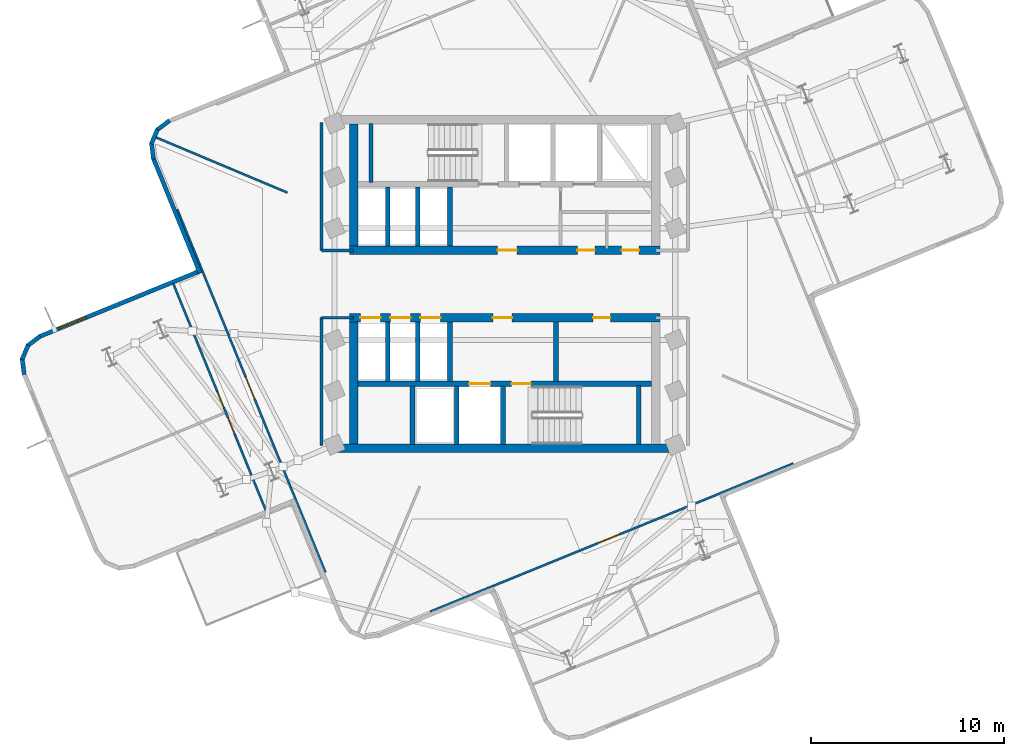
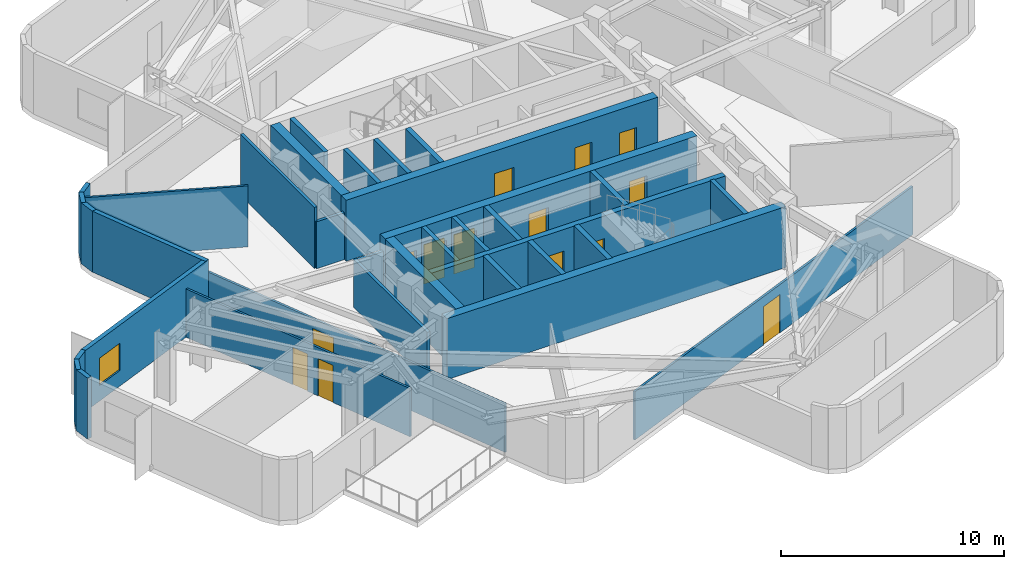
# One storey, part 3 of 8: 34 walls, 14 doors, 1 window, 15 openings.
"""IFC4 building model written with IfcOpenShell, lengths in metres."""

from ifc_helpers import new_model, si_unit, direction, frame, frame_2d, origin, place, context, subcontext, project, spatial, rectangle, extrude, material, layer, layer_set, type_object, element, fill, save


model = new_model("IFC4")

# Units and contexts
model_context = context("Model", 3, precision=1e-05, world=origin(), true_north=direction((0.0, 1.0)))
body_context = subcontext(model_context, "Body", "Model", "MODEL_VIEW")
ifc_project = project(units=[si_unit("LENGTHUNIT", "METRE"), si_unit("AREAUNIT", "SQUARE_METRE"), si_unit("VOLUMEUNIT", "CUBIC_METRE"), si_unit("PLANEANGLEUNIT", "RADIAN"), si_unit("MASSUNIT", "GRAM", prefix="KILO")], contexts=[model_context])

# Site, building, storey
site_placement = place(None, origin())
site = spatial("IfcSite", under=ifc_project, at=site_placement, CompositionType="ELEMENT")
building_placement = place(site_placement, origin())
building = spatial("IfcBuilding", under=site, at=building_placement, Name="Solmarez Civic Tower", CompositionType="ELEMENT")
storey_placement = place(building_placement, frame((0.0, 0.0, 173.8798828125)))
storey = spatial("IfcBuildingStorey", under=building, at=storey_placement, Name="L46", CompositionType="ELEMENT", Elevation=173.8798828125)

# Wall, openings, doors
ifc_material_1 = material(Name="Concrete C50/60", Category="concrete")
ifc_layer_1 = layer(ifc_material_1, 0.449951171875)
ifc_layer_set_1 = layer_set([ifc_layer_1], Name="Concrete C50/60")
wall_type_1 = type_object("IfcWallType", Name="WALL-CORE-450", PredefinedType="SHEAR", material=ifc_layer_set_1)
wall_1_placement = place(storey_placement, frame((8.070068359375, 1.75, 0.0), z_axis=(0.0, 0.0, 1.0), x_axis=(-1.0, 0.0, 0.0)))
wall_1 = element("IfcWall", 1, at=wall_1_placement, inside=storey, type_object=wall_type_1, Name="L46 Split-Core Structural Wall NCW-S-L46", PredefinedType="SHEAR", context=body_context, shape_type="SweptSolid", body=[
    extrude(rectangle(XDim=16.14013671875, YDim=0.449951171875, at=frame_2d((8.070068359375, 0.0))), origin(), (0.0, 0.0, 1.0), 3.340087890625),
])
opening_1_placement = place(wall_1_placement, frame((7.449951171875, 0.0, 0.0)))
opening_1 = element("IfcOpeningElement", 2, at=opening_1_placement, cuts=wall_1, Name="Opening D-04", PredefinedType="OPENING", context=body_context, shape_type="SweptSolid", body=[
    extrude(rectangle(XDim=1.0, YDim=2.10009765625, at=frame_2d((0.5, 1.050048828125))), frame((0.0, 0.23486328125, 0.0), z_axis=(0.0, -1.0, 0.0), x_axis=(1.0, 0.0, 0.0)), (0.0, 0.0, 1.0), 0.469970703125),
])
opening_2_placement = place(wall_1_placement, frame((3.39990234375, 0.0, 0.0)))
opening_2 = element("IfcOpeningElement", 3, at=opening_2_placement, cuts=wall_1, Name="Opening D-09", PredefinedType="OPENING", context=body_context, shape_type="SweptSolid", body=[
    extrude(rectangle(XDim=0.89990234375, YDim=2.06005859375, at=frame_2d((0.449951171875, 1.030029296875))), frame((0.0, 0.23486328125, 0.0), z_axis=(0.0, -1.0, 0.0), x_axis=(1.0, 0.0, 0.0)), (0.0, 0.0, 1.0), 0.469970703125),
])
opening_3_placement = place(wall_1_placement, frame((1.10009765625, 0.0, 0.0)))
opening_3 = element("IfcOpeningElement", 4, at=opening_3_placement, cuts=wall_1, Name="Opening D-09", PredefinedType="OPENING", context=body_context, shape_type="SweptSolid", body=[
    extrude(rectangle(XDim=0.89990234375, YDim=2.06005859375, at=frame_2d((0.449951171875, 1.030029296875))), frame((0.0, 0.23486328125, 0.0), z_axis=(0.0, -1.0, 0.0), x_axis=(1.0, 0.0, 0.0)), (0.0, 0.0, 1.0), 0.469970703125),
])
ifc_material_2 = material(Name="Steel-Faced Acoustic Fire Door", Category="steel")
door_type_1 = type_object("IfcDoorType", Name="DOOR-FD60-1000", OperationType="NOTDEFINED", PredefinedType="DOOR", material=ifc_material_2)
door_1_placement = place(opening_1_placement, origin())
door_1 = element("IfcDoor", 5, at=door_1_placement, inside=storey, type_object=door_type_1, Name="L46 North Firefighting Lobby Door", OperationType="SINGLE_SWING_LEFT", OverallHeight=2.10009765625, OverallWidth=1.0, PredefinedType="DOOR", context=body_context, shape_type="SweptSolid", body=[
    extrude(rectangle(XDim=1.0, YDim=2.10009765625, at=frame_2d((0.5, 1.050048828125))), frame((0.0, 0.02490234375, 0.0), z_axis=(0.0, -1.0, 0.0), x_axis=(1.0, 0.0, 0.0)), (0.0, 0.0, 1.0), 0.050048828125),
])
fill(opening_1, door_1)
ifc_material_3 = material(Name="Fire-Rated Service Core Door", Category="wood")
door_type_2 = type_object("IfcDoorType", Name="DOOR-FD60-900", OperationType="NOTDEFINED", PredefinedType="DOOR", material=ifc_material_3)
door_2_placement = place(opening_2_placement, origin())
door_2 = element("IfcDoor", 6, at=door_2_placement, inside=storey, type_object=door_type_2, Name="L46 Core WC Door", OperationType="SINGLE_SWING_LEFT", OverallHeight=2.06005859375, OverallWidth=0.89990234375, PredefinedType="DOOR", context=body_context, shape_type="SweptSolid", body=[
    extrude(rectangle(XDim=0.89990234375, YDim=2.06005859375, at=frame_2d((0.449951171875, 1.030029296875))), frame((0.0, 0.02490234375, 0.0), z_axis=(0.0, -1.0, 0.0), x_axis=(1.0, 0.0, 0.0)), (0.0, 0.0, 1.0), 0.050048828125),
])
fill(opening_2, door_2)
door_3_placement = place(opening_3_placement, origin())
door_3 = element("IfcDoor", 7, at=door_3_placement, inside=storey, type_object=door_type_2, Name="L46 Core CL Door", OperationType="SINGLE_SWING_RIGHT", OverallHeight=2.06005859375, OverallWidth=0.89990234375, PredefinedType="DOOR", context=body_context, shape_type="SweptSolid", body=[
    extrude(rectangle(XDim=0.89990234375, YDim=2.06005859375, at=frame_2d((0.449951171875, 1.030029296875))), frame((0.0, 0.02490234375, 0.0), z_axis=(0.0, -1.0, 0.0), x_axis=(1.0, 0.0, 0.0)), (0.0, 0.0, 1.0), 0.050048828125),
])
fill(opening_3, door_3)

# Walls
wall_2_placement = place(storey_placement, frame((-7.844970703125, 1.97509765625, 0.0), z_axis=(0.0, 0.0, 1.0), x_axis=(0.0, 1.0, 0.0)))
element("IfcWall", 8, at=wall_2_placement, inside=storey, type_object=wall_type_1, Name="L46 Split-Core Structural Wall NCW-W-L46", PredefinedType="SHEAR", context=body_context, shape_type="SweptSolid", body=[
    extrude(rectangle(XDim=6.3349609375, YDim=0.449951171875, at=frame_2d((3.16748046875, 0.0))), origin(), (0.0, 0.0, 1.0), 3.340087890625),
])
wall_3_placement = place(storey_placement, frame((8.780029296875, -8.534912109375, 0.0), z_axis=(0.0, 0.0, 1.0), x_axis=(-1.0, 0.0, 0.0)))
element("IfcWall", 9, at=wall_3_placement, inside=storey, type_object=wall_type_1, Name="L46 Split-Core Structural Wall SCW-S-L46", PredefinedType="SHEAR", context=body_context, shape_type="SweptSolid", body=[
    extrude(rectangle(XDim=17.56005859375, YDim=0.449951171875, at=frame_2d((8.780029296875, 0.0))), origin(), (0.0, 0.0, 1.0), 3.340087890625),
])

# Wall, openings, doors
wall_4_placement = place(storey_placement, frame((-8.070068359375, -1.75, 0.0), z_axis=(0.0, 0.0, 1.0), x_axis=(1.0, 0.0, 0.0)))
wall_4 = element("IfcWall", 10, at=wall_4_placement, inside=storey, type_object=wall_type_1, Name="L46 Split-Core Structural Wall SCW-N-L46", PredefinedType="SHEAR", context=body_context, shape_type="SweptSolid", body=[
    extrude(rectangle(XDim=16.14013671875, YDim=0.449951171875, at=frame_2d((8.070068359375, 0.0))), origin(), (0.0, 0.0, 1.0), 3.340087890625),
])
opening_4_placement = place(wall_4_placement, frame((7.449951171875, 0.0, 0.0)))
opening_4 = element("IfcOpeningElement", 11, at=opening_4_placement, cuts=wall_4, Name="Opening D-04", PredefinedType="OPENING", context=body_context, shape_type="SweptSolid", body=[
    extrude(rectangle(XDim=1.0, YDim=2.10009765625, at=frame_2d((0.5, 1.050048828125))), frame((0.0, 0.23486328125, 0.0), z_axis=(0.0, -1.0, 0.0), x_axis=(1.0, 0.0, 0.0)), (0.0, 0.0, 1.0), 0.469970703125),
])
opening_5_placement = place(wall_4_placement, frame((12.64990234375, 0.0, 0.0)))
opening_5 = element("IfcOpeningElement", 12, at=opening_5_placement, cuts=wall_4, Name="Opening D-09", PredefinedType="OPENING", context=body_context, shape_type="SweptSolid", body=[
    extrude(rectangle(XDim=0.89990234375, YDim=2.06005859375, at=frame_2d((0.449951171875, 1.030029296875))), frame((0.0, 0.23486328125, 0.0), z_axis=(0.0, -1.0, 0.0), x_axis=(1.0, 0.0, 0.0)), (0.0, 0.0, 1.0), 0.469970703125),
])
opening_6_placement = place(wall_4_placement, frame((0.56494140625, 0.0, 0.0)))
opening_6 = element("IfcOpeningElement", 13, at=opening_6_placement, cuts=wall_4, Name="Opening LD-01", PredefinedType="OPENING", context=body_context, shape_type="SweptSolid", body=[
    extrude(rectangle(XDim=1.050048828125, YDim=2.14990234375, at=frame_2d((0.52490234375, 1.074951171875))), frame((0.0, 0.23486328125, 0.0), z_axis=(0.0, -1.0, 0.0), x_axis=(1.0, 0.0, 0.0)), (0.0, 0.0, 1.0), 0.469970703125),
])
opening_7_placement = place(wall_4_placement, frame((2.125, 0.0, 0.0)))
opening_7 = element("IfcOpeningElement", 14, at=opening_7_placement, cuts=wall_4, Name="Opening LD-01", PredefinedType="OPENING", context=body_context, shape_type="SweptSolid", body=[
    extrude(rectangle(XDim=1.050048828125, YDim=2.14990234375, at=frame_2d((0.52490234375, 1.074951171875))), frame((0.0, 0.23486328125, 0.0), z_axis=(0.0, -1.0, 0.0), x_axis=(1.0, 0.0, 0.0)), (0.0, 0.0, 1.0), 0.469970703125),
])
opening_8_placement = place(wall_4_placement, frame((3.68505859375, 0.0, 0.0)))
opening_8 = element("IfcOpeningElement", 15, at=opening_8_placement, cuts=wall_4, Name="Opening LD-01", PredefinedType="OPENING", context=body_context, shape_type="SweptSolid", body=[
    extrude(rectangle(XDim=1.050048828125, YDim=2.14990234375, at=frame_2d((0.52490234375, 1.074951171875))), frame((0.0, 0.23486328125, 0.0), z_axis=(0.0, -1.0, 0.0), x_axis=(1.0, 0.0, 0.0)), (0.0, 0.0, 1.0), 0.469970703125),
])
door_4_placement = place(opening_4_placement, origin())
door_4 = element("IfcDoor", 16, at=door_4_placement, inside=storey, type_object=door_type_1, Name="L46 South Firefighting Lobby Door", OperationType="SINGLE_SWING_RIGHT", OverallHeight=2.10009765625, OverallWidth=1.0, PredefinedType="DOOR", context=body_context, shape_type="SweptSolid", body=[
    extrude(rectangle(XDim=1.0, YDim=2.10009765625, at=frame_2d((0.5, 1.050048828125))), frame((0.0, 0.02490234375, 0.0), z_axis=(0.0, -1.0, 0.0), x_axis=(1.0, 0.0, 0.0)), (0.0, 0.0, 1.0), 0.050048828125),
])
fill(opening_4, door_4)
door_5_placement = place(opening_5_placement, origin())
door_5 = element("IfcDoor", 17, at=door_5_placement, inside=storey, type_object=door_type_2, Name="L46 Freed Hoistway Mailroom Door", OperationType="SINGLE_SWING_LEFT", OverallHeight=2.06005859375, OverallWidth=0.89990234375, PredefinedType="DOOR", context=body_context, shape_type="SweptSolid", body=[
    extrude(rectangle(XDim=0.89990234375, YDim=2.06005859375, at=frame_2d((0.449951171875, 1.030029296875))), frame((0.0, 0.02490234375, 0.0), z_axis=(0.0, -1.0, 0.0), x_axis=(1.0, 0.0, 0.0)), (0.0, 0.0, 1.0), 0.050048828125),
])
fill(opening_5, door_5)
ifc_material_4 = material(Name="Bronze Passenger Lift Landing Sliding Door", Category="aluminium")
door_type_3 = type_object("IfcDoorType", Name="DOOR-LD-PAX-1050", OperationType="DOUBLE_DOOR_SLIDING", PredefinedType="DOOR", material=ifc_material_4)
door_6_placement = place(opening_6_placement, origin())
door_6 = element("IfcDoor", 18, at=door_6_placement, inside=storey, type_object=door_type_3, Name="L46 Mid-Rise Lift Landing Door PL-M1", OperationType="DOUBLE_DOOR_SLIDING", OverallHeight=2.14990234375, OverallWidth=1.050048828125, PredefinedType="DOOR", context=body_context, shape_type="SweptSolid", body=[
    extrude(rectangle(XDim=1.050048828125, YDim=2.14990234375, at=frame_2d((0.52490234375, 1.074951171875))), frame((0.0, 0.02490234375, 0.0), z_axis=(0.0, -1.0, 0.0), x_axis=(1.0, 0.0, 0.0)), (0.0, 0.0, 1.0), 0.050048828125),
])
fill(opening_6, door_6)
door_7_placement = place(opening_7_placement, origin())
door_7 = element("IfcDoor", 19, at=door_7_placement, inside=storey, type_object=door_type_3, Name="L46 Mid-Rise Lift Landing Door PL-M2", OperationType="DOUBLE_DOOR_SLIDING", OverallHeight=2.14990234375, OverallWidth=1.050048828125, PredefinedType="DOOR", context=body_context, shape_type="SweptSolid", body=[
    extrude(rectangle(XDim=1.050048828125, YDim=2.14990234375, at=frame_2d((0.52490234375, 1.074951171875))), frame((0.0, 0.02490234375, 0.0), z_axis=(0.0, -1.0, 0.0), x_axis=(1.0, 0.0, 0.0)), (0.0, 0.0, 1.0), 0.050048828125),
])
fill(opening_7, door_7)
door_8_placement = place(opening_8_placement, origin())
door_8 = element("IfcDoor", 20, at=door_8_placement, inside=storey, type_object=door_type_3, Name="L46 Mid-Rise Lift Landing Door PL-M3", OperationType="DOUBLE_DOOR_SLIDING", OverallHeight=2.14990234375, OverallWidth=1.050048828125, PredefinedType="DOOR", context=body_context, shape_type="SweptSolid", body=[
    extrude(rectangle(XDim=1.050048828125, YDim=2.14990234375, at=frame_2d((0.52490234375, 1.074951171875))), frame((0.0, 0.02490234375, 0.0), z_axis=(0.0, -1.0, 0.0), x_axis=(1.0, 0.0, 0.0)), (0.0, 0.0, 1.0), 0.050048828125),
])
fill(opening_8, door_8)

# Walls
wall_5_placement = place(storey_placement, frame((-7.844970703125, -8.31005859375, 0.0), z_axis=(0.0, 0.0, 1.0), x_axis=(0.0, 1.0, 0.0)))
element("IfcWall", 21, at=wall_5_placement, inside=storey, type_object=wall_type_1, Name="L46 Split-Core Structural Wall SCW-W-L46", PredefinedType="SHEAR", context=body_context, shape_type="SweptSolid", body=[
    extrude(rectangle(XDim=6.3349609375, YDim=0.449951171875, at=frame_2d((3.16748046875, 0.0))), origin(), (0.0, 0.0, 1.0), 3.340087890625),
])
ifc_material_5 = material(Name="Precast concrete C40/50", Category="concrete")
ifc_layer_2 = layer(ifc_material_5, 0.219970703125)
ifc_layer_set_2 = layer_set([ifc_layer_2], Name="Precast concrete C40/50")
wall_type_2 = type_object("IfcWallType", Name="WALL-EXT-220", PredefinedType="SOLIDWALL", material=ifc_layer_set_2)
wall_6_placement = place(storey_placement, frame((-24.970947265625, -4.701904296875, 0.0), z_axis=(0.0, 0.0, 1.0), x_axis=(-0.124646916858, 0.992201162123, 0.0)))
element("IfcWall", 22, at=wall_6_placement, inside=storey, type_object=wall_type_2, Name="L46 Exterior Precast Wall 7", PredefinedType="SOLIDWALL", context=body_context, shape_type="SweptSolid", body=[
    extrude(rectangle(XDim=0.83447265625, YDim=0.219970703125, at=frame_2d((0.417236328125, 0.0))), origin(), (0.0, 0.0, 1.0), 3.340087890625),
])
wall_7_placement = place(storey_placement, frame((-25.08203125, -3.922119140625, 0.0), z_axis=(0.0, 0.0, 1.0), x_axis=(0.38823015532, 0.921562448508, 0.0)))
element("IfcWall", 23, at=wall_7_placement, inside=storey, type_object=wall_type_2, Name="L46 Exterior Precast Wall 8", PredefinedType="SOLIDWALL", context=body_context, shape_type="SweptSolid", body=[
    extrude(rectangle(XDim=0.8193359375, YDim=0.219970703125, at=frame_2d((0.40966796875, 0.0))), origin(), (0.0, 0.0, 1.0), 3.340087890625),
])
wall_8_placement = place(storey_placement, frame((-24.7939453125, -3.205078125, 0.0), z_axis=(0.0, 0.0, 1.0), x_axis=(0.796900091387, 0.604111119205, 0.0)))
element("IfcWall", 24, at=wall_8_placement, inside=storey, type_object=wall_type_2, Name="L46 Exterior Precast Wall 9", PredefinedType="SOLIDWALL", context=body_context, shape_type="SweptSolid", body=[
    extrude(rectangle(XDim=0.83447265625, YDim=0.219970703125, at=frame_2d((0.417236328125, 0.0))), origin(), (0.0, 0.0, 1.0), 3.340087890625),
])

# Wall, opening, window
wall_9_placement = place(storey_placement, frame((-24.172119140625, -2.72509765625, 0.0), z_axis=(0.0, 0.0, 1.0), x_axis=(0.925879781482, 0.377818250278, 0.0)))
wall_9 = element("IfcWall", 25, at=wall_9_placement, inside=storey, type_object=wall_type_2, Name="L46 Exterior Precast Wall 10", PredefinedType="SOLIDWALL", context=body_context, shape_type="SweptSolid", body=[
    extrude(rectangle(XDim=9.0576171875, YDim=0.219970703125, at=frame_2d((4.52880859375, 0.0))), origin(), (0.0, 0.0, 1.0), 3.340087890625),
])
opening_9_placement = place(wall_9_placement, frame((1.10009765625, 0.0, 0.85009765625)))
opening_9 = element("IfcOpeningElement", 26, at=opening_9_placement, cuts=wall_9, Name="Opening W-14", PredefinedType="OPENING", context=body_context, shape_type="SweptSolid", body=[
    extrude(rectangle(XDim=1.5, YDim=1.5, at=frame_2d((0.75, 0.75))), frame((0.0, 0.119873046875, 0.0), z_axis=(0.0, -1.0, 0.0), x_axis=(1.0, 0.0, 0.0)), (0.0, 0.0, 1.0), 0.239990234375),
])
ifc_material_6 = material(Name="Solar Control Bronze-Tinted Insulating Glass", Category="glass")
window_type = type_object("IfcWindowType", Name="WIN-1500X1500", PartitioningType="SINGLE_PANEL", PredefinedType="WINDOW", material=ifc_material_6)
window_placement = place(opening_9_placement, origin())
window = element("IfcWindow", 27, at=window_placement, inside=storey, type_object=window_type, Name="L46 Exterior Facade Window 10", OverallHeight=1.5, OverallWidth=1.5, PartitioningType="SINGLE_PANEL", PredefinedType="WINDOW", context=body_context, shape_type="SweptSolid", body=[
    extrude(rectangle(XDim=1.5, YDim=1.5, at=frame_2d((0.75, 0.75))), frame((0.0, 0.030029296875, 0.0), z_axis=(0.0, -1.0, 0.0), x_axis=(1.0, 0.0, 0.0)), (0.0, 0.0, 1.0), 0.06005859375),
])
fill(opening_9, window)

# Walls
wall_10_placement = place(storey_placement, frame((-15.833984375, 0.5830078125, 0.0), z_axis=(0.0, 0.0, 1.0), x_axis=(-0.377776256629, 0.925896916469, 0.0)))
element("IfcWall", 28, at=wall_10_placement, inside=storey, type_object=wall_type_2, Name="L46 Exterior Precast Wall 13", PredefinedType="SOLIDWALL", context=body_context, shape_type="SweptSolid", body=[
    extrude(rectangle(XDim=6.43798828125, YDim=0.219970703125, at=frame_2d((3.218994140625, 0.0))), origin(), (0.0, 0.0, 1.0), 3.340087890625),
])
wall_11_placement = place(storey_placement, frame((-18.25390625, 6.49609375, 0.0), z_axis=(0.0, 0.0, 1.0), x_axis=(-0.124646916858, 0.992201162123, 0.0)))
element("IfcWall", 29, at=wall_11_placement, inside=storey, type_object=wall_type_2, Name="L46 Exterior Precast Wall 14", PredefinedType="SOLIDWALL", context=body_context, shape_type="SweptSolid", body=[
    extrude(rectangle(XDim=0.83447265625, YDim=0.219970703125, at=frame_2d((0.417236328125, 0.0))), origin(), (0.0, 0.0, 1.0), 3.340087890625),
])
wall_12_placement = place(storey_placement, frame((-18.364990234375, 7.27587890625, 0.0), z_axis=(0.0, 0.0, 1.0), x_axis=(0.387977068381, 0.9216690265, 0.0)))
element("IfcWall", 30, at=wall_12_placement, inside=storey, type_object=wall_type_2, Name="L46 Exterior Precast Wall 15", PredefinedType="SOLIDWALL", context=body_context, shape_type="SweptSolid", body=[
    extrude(rectangle(XDim=0.8193359375, YDim=0.219970703125, at=frame_2d((0.40966796875, 0.0))), origin(), (0.0, 0.0, 1.0), 3.340087890625),
])
wall_13_placement = place(storey_placement, frame((-18.076904296875, 7.992919921875, 0.0), z_axis=(0.0, 0.0, 1.0), x_axis=(0.796365329878, 0.604815890473, 0.0)))
element("IfcWall", 31, at=wall_13_placement, inside=storey, type_object=wall_type_2, Name="L46 Exterior Precast Wall 16", PredefinedType="SOLIDWALL", context=body_context, shape_type="SweptSolid", body=[
    extrude(rectangle(XDim=0.83349609375, YDim=0.219970703125, at=frame_2d((0.416748046875, 0.0))), origin(), (0.0, 0.0, 1.0), 3.340087890625),
])
ifc_material_7 = material(Name="Gypsum Board Acoustic Steel-Stud Partition", Category="steel")
ifc_layer_3 = layer(ifc_material_7, 0.14990234375)
ifc_layer_set_3 = layer_set([ifc_layer_3], Name="Gypsum Board Acoustic Steel-Stud Partition")
wall_type_3 = type_object("IfcWallType", Name="WALL-INT-FIRE-150", PredefinedType="PARTITIONING", material=ifc_layer_set_3)
wall_14_placement = place(storey_placement, frame((-9.52001953125, 1.75, 0.0), z_axis=(0.0, 0.0, 1.0), x_axis=(0.0, 1.0, 0.0)))
element("IfcWall", 32, at=wall_14_placement, inside=storey, type_object=wall_type_3, Name="L46 Interior Partition CHW-L46-WN1", PredefinedType="PARTITIONING", context=body_context, shape_type="SweptSolid", body=[
    extrude(rectangle(XDim=6.6298828125, YDim=0.14990234375, at=frame_2d((3.31494140625, 0.0))), origin(), (0.0, 0.0, 1.0), 3.340087890625),
])
wall_15_placement = place(storey_placement, frame((-7.85009765625, 1.75, 0.0), z_axis=(0.0, 0.0, 1.0), x_axis=(-1.0, 0.0, 0.0)))
element("IfcWall", 33, at=wall_15_placement, inside=storey, type_object=wall_type_3, Name="L46 Interior Partition CHW-L46-WN3", PredefinedType="PARTITIONING", context=body_context, shape_type="SweptSolid", body=[
    extrude(rectangle(XDim=1.669921875, YDim=0.14990234375, at=frame_2d((0.8349609375, 0.0))), origin(), (0.0, 0.0, 1.0), 2.570068359375),
])
wall_16_placement = place(storey_placement, frame((-9.52001953125, -8.3798828125, 0.0), z_axis=(0.0, 0.0, 1.0), x_axis=(0.0, 1.0, 0.0)))
element("IfcWall", 34, at=wall_16_placement, inside=storey, type_object=wall_type_3, Name="L46 Interior Partition CHW-L46-WS1", PredefinedType="PARTITIONING", context=body_context, shape_type="SweptSolid", body=[
    extrude(rectangle(XDim=6.6298828125, YDim=0.14990234375, at=frame_2d((3.31494140625, 0.0))), origin(), (0.0, 0.0, 1.0), 2.64404296875),
])
wall_17_placement = place(storey_placement, frame((-7.85009765625, -1.75, 0.0), z_axis=(0.0, 0.0, 1.0), x_axis=(-1.0, 0.0, 0.0)))
element("IfcWall", 35, at=wall_17_placement, inside=storey, type_object=wall_type_3, Name="L46 Interior Partition CHW-L46-WS3", PredefinedType="PARTITIONING", context=body_context, shape_type="SweptSolid", body=[
    extrude(rectangle(XDim=1.669921875, YDim=0.14990234375, at=frame_2d((0.8349609375, 0.0))), origin(), (0.0, 0.0, 1.0), 2.570068359375),
])
ifc_layer_4 = layer(ifc_material_7, 0.110107421875)
ifc_layer_set_4 = layer_set([ifc_layer_4], Name="Gypsum Board Acoustic Steel-Stud Partition")
wall_type_4 = type_object("IfcWallType", Name="WALL-INT-PART-110", PredefinedType="PARTITIONING", material=ifc_layer_set_4)
wall_18_placement = place(storey_placement, frame((-11.300048828125, 4.75, 0.0), z_axis=(0.0, 0.0, 1.0), x_axis=(-0.92186077199, 0.387521247245, 0.0)))
element("IfcWall", 36, at=wall_18_placement, inside=storey, type_object=wall_type_4, Name="L46 Interior Partition PT-L46-QDIV-2", PredefinedType="PARTITIONING", context=body_context, shape_type="SweptSolid", body=[
    extrude(rectangle(XDim=7.41650390625, YDim=0.110107421875, at=frame_2d((3.708251953125, 0.0))), origin(), (0.0, 0.0, 1.0), 3.340087890625),
])

# Wall, opening, door
wall_19_placement = place(storey_placement, frame((-9.322998046875, -14.972900390625, 0.0), z_axis=(0.0, 0.0, 1.0), x_axis=(-0.377891753295, 0.92584978414, 0.0)))
wall_19 = element("IfcWall", 37, at=wall_19_placement, inside=storey, type_object=wall_type_4, Name="L46 Interior Partition PT-L46-W-ENT", PredefinedType="PARTITIONING", context=body_context, shape_type="SweptSolid", body=[
    extrude(rectangle(XDim=20.360595703125, YDim=0.110107421875, at=frame_2d((10.18017578125, 0.0))), origin(), (0.0, 0.0, 1.0), 2.64404296875),
])
opening_10_placement = place(wall_19_placement, frame((9.740966796875, 0.0, 0.0)))
opening_10 = element("IfcOpeningElement", 38, at=opening_10_placement, cuts=wall_19, Name="Opening D-11", PredefinedType="OPENING", context=body_context, shape_type="SweptSolid", body=[
    extrude(rectangle(XDim=1.199951171875, YDim=2.10009765625, at=frame_2d((0.60009765625, 1.050048828125))), frame((0.0, 0.06494140625, 0.0), z_axis=(0.0, -1.0, 0.0), x_axis=(1.0, 0.0, 0.0)), (0.0, 0.0, 1.0), 0.130126953125),
])
ifc_material_8 = material(Name="Glazed-Vision Acoustic Chamber Door", Category="wood")
door_type_4 = type_object("IfcDoorType", Name="DOOR-INT-1200", OperationType="NOTDEFINED", PredefinedType="DOOR", material=ifc_material_8)
door_9_placement = place(opening_10_placement, origin())
door_9 = element("IfcDoor", 39, at=door_9_placement, inside=storey, type_object=door_type_4, Name="L46 Public Reading Room First West Door", OperationType="SINGLE_SWING_LEFT", OverallHeight=2.10009765625, OverallWidth=1.199951171875, PredefinedType="DOOR", context=body_context, shape_type="SweptSolid", body=[
    extrude(rectangle(XDim=1.199951171875, YDim=2.10009765625, at=frame_2d((0.60009765625, 1.050048828125))), frame((0.0, 0.02490234375, 0.0), z_axis=(0.0, -1.0, 0.0), x_axis=(1.0, 0.0, 0.0)), (0.0, 0.0, 1.0), 0.050048828125),
])
fill(opening_10, door_9)

# Wall, openings, doors
wall_20_placement = place(storey_placement, frame((-17.22802734375, 0.028076171875, 0.0), z_axis=(0.0, 0.0, 1.0), x_axis=(0.377875224856, -0.92585653016, 0.0)))
wall_20 = element("IfcWall", 40, at=wall_20_placement, inside=storey, type_object=wall_type_4, Name="L46 Interior Partition PT-L46-W-SCUT", PredefinedType="PARTITIONING", context=body_context, shape_type="SweptSolid", body=[
    extrude(rectangle(XDim=12.75048828125, YDim=0.110107421875, at=frame_2d((6.375244140625, 0.0))), origin(), (0.0, 0.0, 1.0), 2.64404296875),
])
opening_11_placement = place(wall_20_placement, frame((6.0849609375, 0.0, 0.0)))
opening_11 = element("IfcOpeningElement", 41, at=opening_11_placement, cuts=wall_20, Name="Opening D-14", PredefinedType="OPENING", context=body_context, shape_type="SweptSolid", body=[
    extrude(rectangle(XDim=0.860107421875, YDim=2.0400390625, at=frame_2d((0.43017578125, 1.02001953125))), frame((0.0, 0.06494140625, 0.0), z_axis=(0.0, -1.0, 0.0), x_axis=(1.0, 0.0, 0.0)), (0.0, 0.0, 1.0), 0.130126953125),
])
opening_12_placement = place(wall_20_placement, frame((7.52490234375, 0.0, 0.0)))
opening_12 = element("IfcOpeningElement", 42, at=opening_12_placement, cuts=wall_20, Name="Opening D-14", PredefinedType="OPENING", context=body_context, shape_type="SweptSolid", body=[
    extrude(rectangle(XDim=0.860107421875, YDim=2.0400390625, at=frame_2d((0.43017578125, 1.02001953125))), frame((0.0, 0.06494140625, 0.0), z_axis=(0.0, -1.0, 0.0), x_axis=(1.0, 0.0, 0.0)), (0.0, 0.0, 1.0), 0.130126953125),
])
ifc_material_9 = material(Name="Timber Storage and Pantry Door", Category="wood")
door_type_5 = type_object("IfcDoorType", Name="DOOR-INT-850", OperationType="NOTDEFINED", PredefinedType="DOOR", material=ifc_material_9)
door_10_placement = place(opening_11_placement, origin())
door_10 = element("IfcDoor", 43, at=door_10_placement, inside=storey, type_object=door_type_5, Name="L46 Citizen Legal Clinic Third West Door", OperationType="SINGLE_SWING_RIGHT", OverallHeight=2.0400390625, OverallWidth=0.860107421875, PredefinedType="DOOR", context=body_context, shape_type="SweptSolid", body=[
    extrude(rectangle(XDim=0.860107421875, YDim=2.0400390625, at=frame_2d((0.43017578125, 1.02001953125))), frame((0.0, 0.02490234375, 0.0), z_axis=(0.0, -1.0, 0.0), x_axis=(1.0, 0.0, 0.0)), (0.0, 0.0, 1.0), 0.050048828125),
])
fill(opening_11, door_10)
door_11_placement = place(opening_12_placement, origin())
door_11 = element("IfcDoor", 44, at=door_11_placement, inside=storey, type_object=door_type_5, Name="L46 Wellness Fitness Room Second West Door", OperationType="SINGLE_SWING_LEFT", OverallHeight=2.0400390625, OverallWidth=0.860107421875, PredefinedType="DOOR", context=body_context, shape_type="SweptSolid", body=[
    extrude(rectangle(XDim=0.860107421875, YDim=2.0400390625, at=frame_2d((0.43017578125, 1.02001953125))), frame((0.0, 0.02490234375, 0.0), z_axis=(0.0, -1.0, 0.0), x_axis=(1.0, 0.0, 0.0)), (0.0, 0.0, 1.0), 0.050048828125),
])
fill(opening_12, door_11)

# Wall, opening, door
wall_21_placement = place(storey_placement, frame((14.972900390625, -9.322998046875, 0.0), z_axis=(0.0, 0.0, 1.0), x_axis=(-0.92584978414, -0.377891753295, 0.0)))
wall_21 = element("IfcWall", 45, at=wall_21_placement, inside=storey, type_object=wall_type_4, Name="L46 Interior Partition PT-L46-S-ENT", PredefinedType="PARTITIONING", context=body_context, shape_type="SweptSolid", body=[
    extrude(rectangle(XDim=20.360595703125, YDim=0.110107421875, at=frame_2d((10.18017578125, 0.0))), origin(), (0.0, 0.0, 1.0), 2.64404296875),
])
opening_13_placement = place(wall_21_placement, frame((9.740966796875, 0.0, 0.0)))
opening_13 = element("IfcOpeningElement", 46, at=opening_13_placement, cuts=wall_21, Name="Opening D-11", PredefinedType="OPENING", context=body_context, shape_type="SweptSolid", body=[
    extrude(rectangle(XDim=1.199951171875, YDim=2.10009765625, at=frame_2d((0.60009765625, 1.050048828125))), frame((0.0, 0.06494140625, 0.0), z_axis=(0.0, -1.0, 0.0), x_axis=(1.0, 0.0, 0.0)), (0.0, 0.0, 1.0), 0.130126953125),
])
door_12_placement = place(opening_13_placement, origin())
door_12 = element("IfcDoor", 47, at=door_12_placement, inside=storey, type_object=door_type_4, Name="L46 Delegates Study Lounge First South Door", OperationType="SINGLE_SWING_LEFT", OverallHeight=2.10009765625, OverallWidth=1.199951171875, PredefinedType="DOOR", context=body_context, shape_type="SweptSolid", body=[
    extrude(rectangle(XDim=1.199951171875, YDim=2.10009765625, at=frame_2d((0.60009765625, 1.050048828125))), frame((0.0, 0.02490234375, 0.0), z_axis=(0.0, -1.0, 0.0), x_axis=(1.0, 0.0, 0.0)), (0.0, 0.0, 1.0), 0.050048828125),
])
fill(opening_13, door_12)

# Wall, openings, doors
ifc_layer_5 = layer(ifc_material_1, 0.300048828125)
ifc_layer_set_5 = layer_set([ifc_layer_5], Name="Concrete C50/60")
wall_type_5 = type_object("IfcWallType", Name="WALL-STR-300", PredefinedType="SOLIDWALL", material=ifc_layer_set_5)
wall_22_placement = place(storey_placement, frame((-7.6201171875, -5.179931640625, 0.0), z_axis=(0.0, 0.0, 1.0), x_axis=(1.0, 0.0, 0.0)))
wall_22 = element("IfcWall", 48, at=wall_22_placement, inside=storey, type_object=wall_type_5, Name="L46 Split-Core Structural Wall SCW-M-L46", PredefinedType="SOLIDWALL", context=body_context, shape_type="SweptSolid", body=[
    extrude(rectangle(XDim=15.240234375, YDim=0.300048828125, at=frame_2d((7.6201171875, 0.0))), origin(), (0.0, 0.0, 1.0), 3.340087890625),
])
opening_14_placement = place(wall_22_placement, frame((5.77001953125, 0.0, 0.0)))
opening_14 = element("IfcOpeningElement", 49, at=opening_14_placement, cuts=wall_22, Name="Opening LD-02", PredefinedType="OPENING", context=body_context, shape_type="SweptSolid", body=[
    extrude(rectangle(XDim=1.10009765625, YDim=2.14990234375, at=frame_2d((0.550048828125, 1.074951171875))), frame((0.0, 0.159912109375, 0.0), z_axis=(0.0, -1.0, 0.0), x_axis=(1.0, 0.0, 0.0)), (0.0, 0.0, 1.0), 0.320068359375),
])
opening_15_placement = place(wall_22_placement, frame((7.969970703125, 0.0, 0.0)))
opening_15 = element("IfcOpeningElement", 50, at=opening_15_placement, cuts=wall_22, Name="Opening D-05", PredefinedType="OPENING", context=body_context, shape_type="SweptSolid", body=[
    extrude(rectangle(XDim=1.0, YDim=2.10009765625, at=frame_2d((0.5, 1.050048828125))), frame((0.0, 0.159912109375, 0.0), z_axis=(0.0, -1.0, 0.0), x_axis=(1.0, 0.0, 0.0)), (0.0, 0.0, 1.0), 0.320068359375),
])
ifc_material_10 = material(Name="Fire-Rated Stairwell Exit Door", Category="wood")
door_type_6 = type_object("IfcDoorType", Name="DOOR-FD90-1000", OperationType="NOTDEFINED", PredefinedType="DOOR", material=ifc_material_10)
door_13_placement = place(opening_15_placement, origin())
door_13 = element("IfcDoor", 51, at=door_13_placement, inside=storey, type_object=door_type_6, Name="L46 South Exit Stair Door ST-2", OperationType="SINGLE_SWING_RIGHT", OverallHeight=2.10009765625, OverallWidth=1.0, PredefinedType="DOOR", context=body_context, shape_type="SweptSolid", body=[
    extrude(rectangle(XDim=1.0, YDim=2.10009765625, at=frame_2d((0.5, 1.050048828125))), frame((0.0, 0.02490234375, 0.0), z_axis=(0.0, -1.0, 0.0), x_axis=(1.0, 0.0, 0.0)), (0.0, 0.0, 1.0), 0.050048828125),
])
fill(opening_15, door_13)
ifc_material_11 = material(Name="Stainless Firefighting Lift Landing Sliding Door", Category="aluminium")
door_type_7 = type_object("IfcDoorType", Name="DOOR-LD-FF-1100", OperationType="DOUBLE_DOOR_SLIDING", PredefinedType="DOOR", material=ifc_material_11)
door_14_placement = place(opening_14_placement, origin())
door_14 = element("IfcDoor", 52, at=door_14_placement, inside=storey, type_object=door_type_7, Name="L46 Firefighting Lift Landing Door FFL-2", OperationType="DOUBLE_DOOR_SLIDING", OverallHeight=2.14990234375, OverallWidth=1.10009765625, PredefinedType="DOOR", context=body_context, shape_type="SweptSolid", body=[
    extrude(rectangle(XDim=1.10009765625, YDim=2.14990234375, at=frame_2d((0.550048828125, 1.074951171875))), frame((0.0, 0.02490234375, 0.0), z_axis=(0.0, -1.0, 0.0), x_axis=(1.0, 0.0, 0.0)), (0.0, 0.0, 1.0), 0.050048828125),
])
fill(opening_14, door_14)

# Walls
for number, where, z_axis, x_axis, name in (
    (53, (-6.949951171875, 5.280029296875, 0.0), (0.0, 0.0, 1.0), (0.0, 1.0, 0.0), "L46 Split-Core Structural Wall SHW-NW-L46"),
    (54, (6.949951171875, -8.340087890625, 0.0), (0.0, 0.0, 1.0), (0.0, 1.0, 0.0), "L46 Split-Core Structural Wall SHW-SE-L46"),
):
    element("IfcWall", number, at=place(storey_placement, frame(where, z_axis=z_axis, x_axis=x_axis)), inside=storey, type_object=wall_type_5, Name=name, PredefinedType="SOLIDWALL", context=body_context, shape_type="SweptSolid", body=[
        extrude(rectangle(XDim=3.06005859375, YDim=0.219970703125, at=frame_2d((1.530029296875, 0.0))), origin(), (0.0, 0.0, 1.0), 3.340087890625),
    ])
wall_23_placement = place(storey_placement, frame((-2.85009765625, 1.97998046875, 0.0), z_axis=(0.0, 0.0, 1.0), x_axis=(0.0, 1.0, 0.0)))
element("IfcWall", 55, at=wall_23_placement, inside=storey, type_object=wall_type_5, Name="L46 Split-Core Structural Wall SHW-NL1-L46", PredefinedType="SOLIDWALL", context=body_context, shape_type="SweptSolid", body=[
    extrude(rectangle(XDim=3.070068359375, YDim=0.25, at=frame_2d((1.53515625, 0.0))), origin(), (0.0, 0.0, 1.0), 3.340087890625),
])
for number, where, z_axis, x_axis, name in (
    (56, (-0.10009765625, -8.340087890625, 0.0), (0.0, 0.0, 1.0), (0.0, 1.0, 0.0), "L46 Split-Core Structural Wall SHW-S1-L46"),
    (57, (-2.5, -8.340087890625, 0.0), (0.0, 0.0, 1.0), (0.0, 1.0, 0.0), "L46 Split-Core Structural Wall SHW-S2-L46"),
    (58, (-4.800048828125, -8.340087890625, 0.0), (0.0, 0.0, 1.0), (0.0, 1.0, 0.0), "L46 Split-Core Structural Wall SHW-S3-L46"),
):
    element("IfcWall", number, at=place(storey_placement, frame(where, z_axis=z_axis, x_axis=x_axis)), inside=storey, type_object=wall_type_5, Name=name, PredefinedType="SOLIDWALL", context=body_context, shape_type="SweptSolid", body=[
        extrude(rectangle(XDim=3.0400390625, YDim=0.25, at=frame_2d((1.52001953125, 0.0))), origin(), (0.0, 0.0, 1.0), 3.340087890625),
    ])
for number, where, z_axis, x_axis, name in (
    (59, (-2.85009765625, -5.050048828125, 0.0), (0.0, 0.0, 1.0), (0.0, 1.0, 0.0), "L46 Split-Core Structural Wall SHW-SL1-L46"),
    (60, (2.64990234375, -5.050048828125, 0.0), (0.0, 0.0, 1.0), (0.0, 1.0, 0.0), "L46 Split-Core Structural Wall SHW-SL2-L46"),
):
    element("IfcWall", number, at=place(storey_placement, frame(where, z_axis=z_axis, x_axis=x_axis)), inside=storey, type_object=wall_type_5, Name=name, PredefinedType="SOLIDWALL", context=body_context, shape_type="SweptSolid", body=[
        extrude(rectangle(XDim=3.070068359375, YDim=0.25, at=frame_2d((1.53515625, 0.0))), origin(), (0.0, 0.0, 1.0), 3.340087890625),
    ])
for number, where, z_axis, x_axis, name in (
    (61, (-6.080078125, 1.97998046875, 0.0), (0.0, 0.0, 1.0), (0.0, 1.0, 0.0), "L46 Split-Core Structural Wall SHW-PLH-L46-1"),
    (62, (-4.52001953125, 1.97998046875, 0.0), (0.0, 0.0, 1.0), (0.0, 1.0, 0.0), "L46 Split-Core Structural Wall SHW-PLH-L46-2"),
    (63, (-6.080078125, -5.050048828125, 0.0), (0.0, 0.0, 1.0), (0.0, 1.0, 0.0), "L46 Split-Core Structural Wall SHW-PLM-L46-1"),
    (64, (-4.52001953125, -5.050048828125, 0.0), (0.0, 0.0, 1.0), (0.0, 1.0, 0.0), "L46 Split-Core Structural Wall SHW-PLM-L46-2"),
):
    element("IfcWall", number, at=place(storey_placement, frame(where, z_axis=z_axis, x_axis=x_axis)), inside=storey, type_object=wall_type_5, Name=name, PredefinedType="SOLIDWALL", context=body_context, shape_type="SweptSolid", body=[
        extrude(rectangle(XDim=3.070068359375, YDim=0.219970703125, at=frame_2d((1.53515625, 0.0))), origin(), (0.0, 0.0, 1.0), 3.340087890625),
    ])

save(model, "model.ifc")
